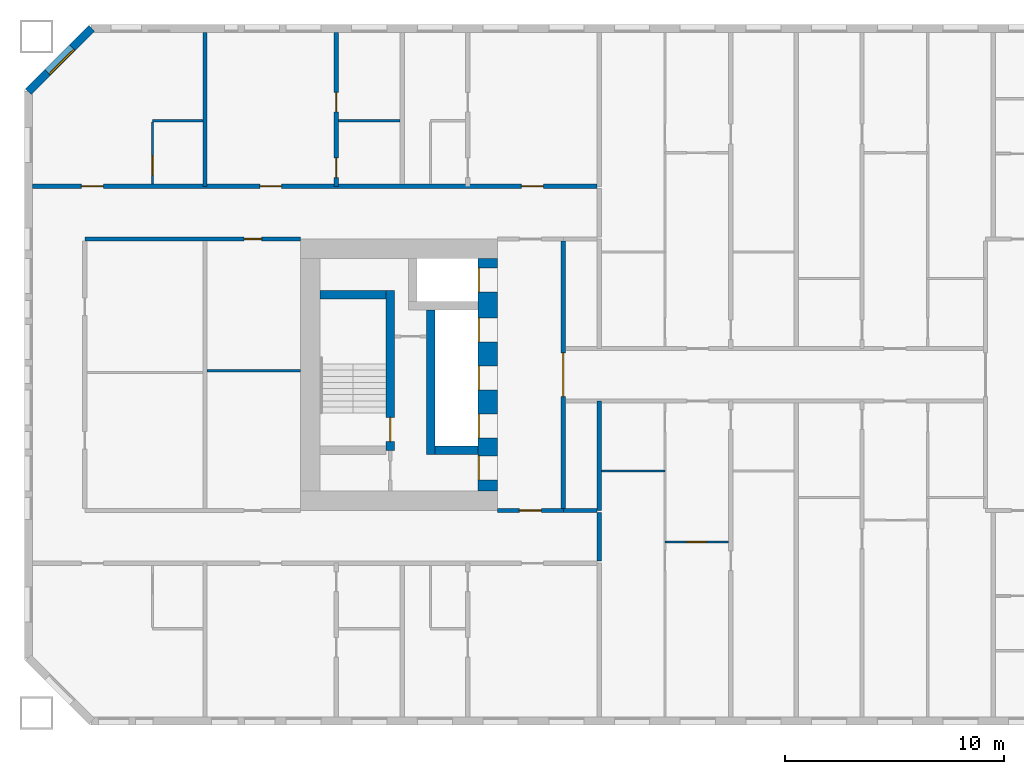
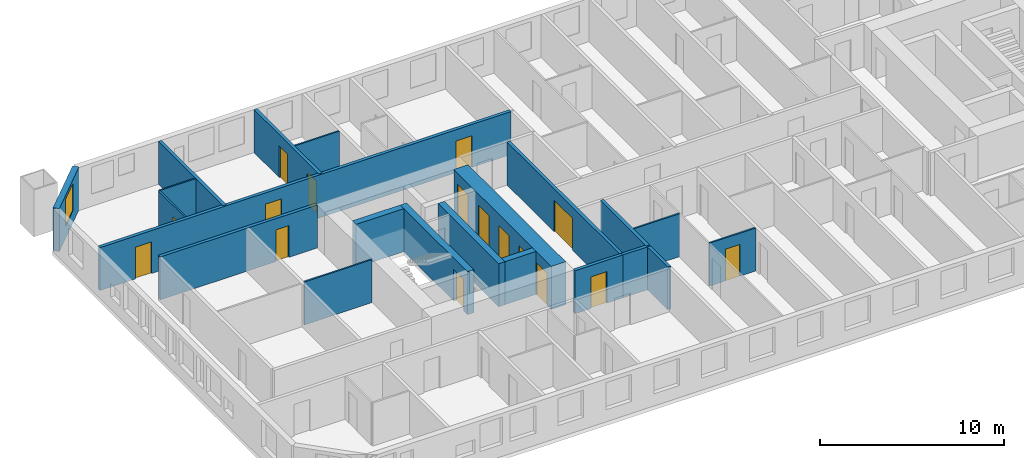
# One storey, part 4 of 17: 21 walls, 16 doors, 1 window, 17 openings.
"""IFC4 building model written with IfcOpenShell, lengths in metres."""

from ifc_helpers import new_model, si_unit, direction, frame, frame_2d, origin, place, context, subcontext, project, spatial, rectangle, extrude, material, layer, layer_set, type_object, element, fill, save


model = new_model("IFC4")

# Units and contexts
model_context = context("Model", 3, precision=1e-05, world=origin(), true_north=direction((0.0, 1.0)))
body_context = subcontext(model_context, "Body", "Model", "MODEL_VIEW")
ifc_project = project(units=[si_unit("LENGTHUNIT", "METRE"), si_unit("AREAUNIT", "SQUARE_METRE"), si_unit("VOLUMEUNIT", "CUBIC_METRE"), si_unit("PLANEANGLEUNIT", "RADIAN"), si_unit("MASSUNIT", "GRAM", prefix="KILO")], contexts=[model_context])

# Site, building, storey
site_placement = place(None, origin())
site = spatial("IfcSite", under=ifc_project, at=site_placement, CompositionType="ELEMENT")
building_placement = place(site_placement, origin())
building = spatial("IfcBuilding", under=site, at=building_placement, Name="Tuart Gate Housing", CompositionType="ELEMENT")
storey_placement = place(building_placement, frame((0.0, 0.0, 22.60009765625)))
storey = spatial("IfcBuildingStorey", under=building, at=storey_placement, Name="L05", CompositionType="ELEMENT", Elevation=22.60009765625)

# Wall, opening, window
ifc_material_1 = material(Name="Brick", Category="masonry")
ifc_layer_1 = layer(ifc_material_1, 0.360107421875)
ifc_layer_set_1 = layer_set([ifc_layer_1], Name="Brick pier and spandrel wall 360")
wall_type_1 = type_object("IfcWallType", Name="Brick pier and spandrel wall 360", PredefinedType="STANDARD", material=ifc_layer_set_1)
wall_1_placement = place(storey_placement, frame((22.82470703125, 85.820068359375, 0.0), z_axis=(0.0, 0.0, 1.0), x_axis=(-0.707106781187, -0.707106781187, 0.0)))
wall_1 = element("IfcWall", 1, at=wall_1_placement, inside=storey, type_object=wall_type_1, Name="External wall A-NW L05", PredefinedType="STANDARD", context=body_context, shape_type="SweptSolid", body=[
    extrude(rectangle(XDim=4.09375, YDim=0.360107421875, at=frame_2d((2.046875, 0.0))), origin(), (0.0, 0.0, 1.0), 2.849853515625),
])
opening_1_placement = place(wall_1_placement, frame((1.2470703125, 0.0, 0.800048828125)))
opening_1 = element("IfcOpeningElement", 2, at=opening_1_placement, cuts=wall_1, Name="Opening W1", PredefinedType="OPENING", context=body_context, shape_type="SweptSolid", body=[
    extrude(rectangle(XDim=1.60009765625, YDim=1.800048828125, at=frame_2d((0.800048828125, 0.89990234375))), frame((0.0, 0.18994140625, 0.0), z_axis=(0.0, -1.0, 0.0), x_axis=(1.0, 0.0, 0.0)), (0.0, 0.0, 1.0), 0.380126953125),
])
ifc_material_2 = material(Name="Aluminium frame with clear glass", Category="aluminium")
window_type = type_object("IfcWindowType", Name="Punched window 1600 x 1800", PartitioningType="SINGLE_PANEL", PredefinedType="WINDOW", material=ifc_material_2)
window_placement = place(opening_1_placement, origin())
window = element("IfcWindow", 3, at=window_placement, inside=storey, type_object=window_type, Name="Window W1", OverallHeight=1.800048828125, OverallWidth=1.60009765625, PartitioningType="SINGLE_PANEL", PredefinedType="WINDOW", context=body_context, shape_type="SweptSolid", body=[
    extrude(rectangle(XDim=1.60009765625, YDim=1.800048828125, at=frame_2d((0.800048828125, 0.89990234375))), frame((0.0, 0.150146484375, 0.0), z_axis=(0.0, -1.0, 0.0), x_axis=(1.0, 0.0, 0.0)), (0.0, 0.0, 1.0), 0.06005859375),
])
fill(opening_1, window)

# Walls
ifc_material_3 = material(Name="Concrete C60", Category="concrete")
ifc_layer_2 = layer(ifc_material_3, 0.39990234375)
ifc_layer_set_2 = layer_set([ifc_layer_2], Name="Core wall 400 C60")
wall_type_2 = type_object("IfcWallType", Name="Core wall 400 C60", PredefinedType="SHEAR", material=ifc_layer_set_2)
wall_2_placement = place(storey_placement, frame((36.260009765625, 73.64990234375, 0.0), z_axis=(0.0, 0.0, 1.0), x_axis=(-1.0, 0.0, 0.0)))
element("IfcWall", 4, at=wall_2_placement, inside=storey, type_object=wall_type_2, Name="Core wall AK.1", PredefinedType="SHEAR", context=body_context, shape_type="SweptSolid", body=[
    extrude(rectangle(XDim=3.0, YDim=0.39990234375, at=frame_2d((1.5, 0.0))), origin(), (0.0, 0.0, 1.0), 2.849853515625),
])
wall_3_placement = place(storey_placement, frame((40.4599609375, 66.550048828125, 0.0), z_axis=(0.0, 0.0, 1.0), x_axis=(-1.0, 0.0, 0.0)))
element("IfcWall", 5, at=wall_3_placement, inside=storey, type_object=wall_type_2, Name="Core wall AK.4", PredefinedType="SHEAR", context=body_context, shape_type="SweptSolid", body=[
    extrude(rectangle(XDim=1.949951171875, YDim=0.39990234375, at=frame_2d((0.97509765625, 0.0))), origin(), (0.0, 0.0, 1.0), 2.849853515625),
])
wall_4_placement = place(storey_placement, frame((38.31005859375, 72.949951171875, 0.0), z_axis=(0.0, 0.0, 1.0), x_axis=(0.0, -1.0, 0.0)))
element("IfcWall", 6, at=wall_4_placement, inside=storey, type_object=wall_type_2, Name="Core wall AK.6", PredefinedType="SHEAR", context=body_context, shape_type="SweptSolid", body=[
    extrude(rectangle(XDim=6.599853515625, YDim=0.39990234375, at=frame_2d((3.2998046875, 0.0))), origin(), (0.0, 0.0, 1.0), 2.849853515625),
])

# Wall, opening, door
wall_5_placement = place(storey_placement, frame((36.4599609375, 73.85009765625, 0.0), z_axis=(0.0, 0.0, 1.0), x_axis=(0.0, -1.0, 0.0)))
wall_5 = element("IfcWall", 7, at=wall_5_placement, inside=storey, type_object=wall_type_2, Name="Core wall AK.8", PredefinedType="SHEAR", context=body_context, shape_type="SweptSolid", body=[
    extrude(rectangle(XDim=7.300048828125, YDim=0.39990234375, at=frame_2d((3.64990234375, 0.0))), origin(), (0.0, 0.0, 1.0), 2.849853515625),
])
opening_2_placement = place(wall_5_placement, frame((5.800048828125, 0.0, 0.0)))
opening_2 = element("IfcOpeningElement", 8, at=opening_2_placement, cuts=wall_5, Name="Opening D372", PredefinedType="OPENING", context=body_context, shape_type="SweptSolid", body=[
    extrude(rectangle(XDim=1.10009765625, YDim=2.10009765625, at=frame_2d((0.550048828125, 1.050048828125))), frame((0.0, 0.2099609375, 0.0), z_axis=(0.0, -1.0, 0.0), x_axis=(1.0, 0.0, 0.0)), (0.0, 0.0, 1.0), 0.419921875),
])
ifc_material_4 = material(Name="Steel fire door", Category="steel")
door_type_1 = type_object("IfcDoorType", Name="Stair door 1100 x 2100", OperationType="SINGLE_SWING_LEFT", PredefinedType="DOOR", material=ifc_material_4)
door_1_placement = place(opening_2_placement, frame((1.10009765625, 0.0, 0.0), z_axis=(0.0, 0.0, 1.0), x_axis=(-1.0, 0.0, 0.0)))
door_1 = element("IfcDoor", 9, at=door_1_placement, inside=storey, type_object=door_type_1, Name="Stair door AK.SD", OperationType="SINGLE_SWING_LEFT", OverallHeight=2.10009765625, OverallWidth=1.10009765625, PredefinedType="DOOR", context=body_context, shape_type="SweptSolid", body=[
    extrude(rectangle(XDim=1.10009765625, YDim=2.10009765625, at=frame_2d((0.550048828125, 1.050048828125))), frame((0.0, 0.025146484375, 0.0), z_axis=(0.0, -1.0, 0.0), x_axis=(1.0, 0.0, 0.0)), (0.0, 0.0, 1.0), 0.050048828125),
])
fill(opening_2, door_1)

# Wall, openings, doors
ifc_material_5 = material(Name="Concrete C60", Category="concrete")
ifc_layer_3 = layer(ifc_material_5, 0.89990234375)
ifc_layer_set_3 = layer_set([ifc_layer_3], Name="Core wall 900 C60")
wall_type_3 = type_object("IfcWallType", Name="Core wall 900 C60", PredefinedType="SHEAR", material=ifc_layer_set_3)
wall_6_placement = place(storey_placement, frame((40.909912109375, 75.300048828125, 0.0), z_axis=(0.0, 0.0, 1.0), x_axis=(0.0, -1.0, 0.0)))
wall_6 = element("IfcWall", 10, at=wall_6_placement, inside=storey, type_object=wall_type_3, Name="Core wall AK front", PredefinedType="SHEAR", context=body_context, shape_type="SweptSolid", body=[
    extrude(rectangle(XDim=10.60009765625, YDim=0.89990234375, at=frame_2d((5.300048828125, 0.0))), origin(), (0.0, 0.0, 1.0), 2.849853515625),
])
opening_3_placement = place(wall_6_placement, frame((0.425048828125, 0.0, 0.0)))
opening_3 = element("IfcOpeningElement", 11, at=opening_3_placement, cuts=wall_6, Name="Opening LD-FA2", PredefinedType="OPENING", context=body_context, shape_type="SweptSolid", body=[
    extrude(rectangle(XDim=1.10009765625, YDim=2.10009765625, at=frame_2d((0.550048828125, 1.050048828125))), frame((0.0, 0.4599609375, 0.0), z_axis=(0.0, -1.0, 0.0), x_axis=(1.0, 0.0, 0.0)), (0.0, 0.0, 1.0), 0.919921875),
])
opening_4_placement = place(wall_6_placement, frame((2.699951171875, 0.0, 0.0)))
opening_4 = element("IfcOpeningElement", 12, at=opening_4_placement, cuts=wall_6, Name="Opening LD-LA4", PredefinedType="OPENING", context=body_context, shape_type="SweptSolid", body=[
    extrude(rectangle(XDim=1.10009765625, YDim=2.10009765625, at=frame_2d((0.550048828125, 1.050048828125))), frame((0.0, 0.4599609375, 0.0), z_axis=(0.0, -1.0, 0.0), x_axis=(1.0, 0.0, 0.0)), (0.0, 0.0, 1.0), 0.919921875),
])
opening_5_placement = place(wall_6_placement, frame((4.89990234375, 0.0, 0.0)))
opening_5 = element("IfcOpeningElement", 13, at=opening_5_placement, cuts=wall_6, Name="Opening LD-LA5", PredefinedType="OPENING", context=body_context, shape_type="SweptSolid", body=[
    extrude(rectangle(XDim=1.10009765625, YDim=2.10009765625, at=frame_2d((0.550048828125, 1.050048828125))), frame((0.0, 0.4599609375, 0.0), z_axis=(0.0, -1.0, 0.0), x_axis=(1.0, 0.0, 0.0)), (0.0, 0.0, 1.0), 0.919921875),
])
opening_6_placement = place(wall_6_placement, frame((7.10009765625, 0.0, 0.0)))
opening_6 = element("IfcOpeningElement", 14, at=opening_6_placement, cuts=wall_6, Name="Opening LD-LA6", PredefinedType="OPENING", context=body_context, shape_type="SweptSolid", body=[
    extrude(rectangle(XDim=1.10009765625, YDim=2.10009765625, at=frame_2d((0.550048828125, 1.050048828125))), frame((0.0, 0.4599609375, 0.0), z_axis=(0.0, -1.0, 0.0), x_axis=(1.0, 0.0, 0.0)), (0.0, 0.0, 1.0), 0.919921875),
])
opening_7_placement = place(wall_6_placement, frame((9.0, 0.0, 0.0)))
opening_7 = element("IfcOpeningElement", 15, at=opening_7_placement, cuts=wall_6, Name="Opening D375", PredefinedType="OPENING", context=body_context, shape_type="SweptSolid", body=[
    extrude(rectangle(XDim=1.10009765625, YDim=2.10009765625, at=frame_2d((0.550048828125, 1.050048828125))), frame((0.0, 0.4599609375, 0.0), z_axis=(0.0, -1.0, 0.0), x_axis=(1.0, 0.0, 0.0)), (0.0, 0.0, 1.0), 0.919921875),
])
ifc_material_6 = material(Name="Stainless steel", Category="steel")
door_type_2 = type_object("IfcDoorType", Name="Landing door 1100 x 2100", OperationType="DOUBLE_DOOR_SLIDING", PredefinedType="DOOR", material=ifc_material_6)
door_2_placement = place(opening_3_placement, origin())
door_2 = element("IfcDoor", 16, at=door_2_placement, inside=storey, type_object=door_type_2, Name="Lift landing door FA2", OperationType="DOUBLE_DOOR_SLIDING", OverallHeight=2.10009765625, OverallWidth=1.10009765625, PredefinedType="DOOR", context=body_context, shape_type="SweptSolid", body=[
    extrude(rectangle(XDim=1.10009765625, YDim=2.10009765625, at=frame_2d((0.550048828125, 1.050048828125))), frame((0.0, -0.384765625, 0.0), z_axis=(0.0, -1.0, 0.0), x_axis=(1.0, 0.0, 0.0)), (0.0, 0.0, 1.0), 0.050048828125),
])
fill(opening_3, door_2)
door_3_placement = place(opening_4_placement, origin())
door_3 = element("IfcDoor", 17, at=door_3_placement, inside=storey, type_object=door_type_2, Name="Lift landing door LA4", OperationType="DOUBLE_DOOR_SLIDING", OverallHeight=2.10009765625, OverallWidth=1.10009765625, PredefinedType="DOOR", context=body_context, shape_type="SweptSolid", body=[
    extrude(rectangle(XDim=1.10009765625, YDim=2.10009765625, at=frame_2d((0.550048828125, 1.050048828125))), frame((0.0, -0.384765625, 0.0), z_axis=(0.0, -1.0, 0.0), x_axis=(1.0, 0.0, 0.0)), (0.0, 0.0, 1.0), 0.050048828125),
])
fill(opening_4, door_3)
door_4_placement = place(opening_5_placement, origin())
door_4 = element("IfcDoor", 18, at=door_4_placement, inside=storey, type_object=door_type_2, Name="Lift landing door LA5", OperationType="DOUBLE_DOOR_SLIDING", OverallHeight=2.10009765625, OverallWidth=1.10009765625, PredefinedType="DOOR", context=body_context, shape_type="SweptSolid", body=[
    extrude(rectangle(XDim=1.10009765625, YDim=2.10009765625, at=frame_2d((0.550048828125, 1.050048828125))), frame((0.0, -0.384765625, 0.0), z_axis=(0.0, -1.0, 0.0), x_axis=(1.0, 0.0, 0.0)), (0.0, 0.0, 1.0), 0.050048828125),
])
fill(opening_5, door_4)
door_5_placement = place(opening_6_placement, origin())
door_5 = element("IfcDoor", 19, at=door_5_placement, inside=storey, type_object=door_type_2, Name="Lift landing door LA6", OperationType="DOUBLE_DOOR_SLIDING", OverallHeight=2.10009765625, OverallWidth=1.10009765625, PredefinedType="DOOR", context=body_context, shape_type="SweptSolid", body=[
    extrude(rectangle(XDim=1.10009765625, YDim=2.10009765625, at=frame_2d((0.550048828125, 1.050048828125))), frame((0.0, -0.384765625, 0.0), z_axis=(0.0, -1.0, 0.0), x_axis=(1.0, 0.0, 0.0)), (0.0, 0.0, 1.0), 0.050048828125),
])
fill(opening_6, door_5)
ifc_material_7 = material(Name="Steel fire door", Category="steel")
door_type_3 = type_object("IfcDoorType", Name="Lobby door 1100 x 2100 RH", OperationType="SINGLE_SWING_RIGHT", PredefinedType="DOOR", material=ifc_material_7)
door_6_placement = place(opening_7_placement, frame((1.10009765625, 0.0, 0.0), z_axis=(0.0, 0.0, 1.0), x_axis=(-1.0, 0.0, 0.0)))
door_6 = element("IfcDoor", 20, at=door_6_placement, inside=storey, type_object=door_type_3, Name="Lobby entry door AK.EN", OperationType="SINGLE_SWING_RIGHT", OverallHeight=2.10009765625, OverallWidth=1.10009765625, PredefinedType="DOOR", context=body_context, shape_type="SweptSolid", body=[
    extrude(rectangle(XDim=1.10009765625, YDim=2.10009765625, at=frame_2d((0.550048828125, 1.050048828125))), frame((0.0, 0.434814453125, 0.0), z_axis=(0.0, -1.0, 0.0), x_axis=(1.0, 0.0, 0.0)), (0.0, 0.0, 1.0), 0.050048828125),
])
fill(opening_7, door_6)

# Wall
ifc_material_8 = material(Name="Concrete masonry 15 MPa", Category="masonry")
ifc_layer_4 = layer(ifc_material_8, 0.199951171875)
ifc_layer_set_4 = layer_set([ifc_layer_4], Name="Corridor wall masonry 200")
wall_type_4 = type_object("IfcWallType", Name="Corridor wall masonry 200", PredefinedType="PARTITIONING", material=ifc_layer_set_4)
wall_7_placement = place(storey_placement, frame((44.360107421875, 63.800048828125, 0.0), z_axis=(0.0, 0.0, 1.0), x_axis=(1.0, 0.0, 0.0)))
element("IfcWall", 21, at=wall_7_placement, inside=storey, type_object=wall_type_4, Name="Corridor wall masonry 200", PredefinedType="PARTITIONING", context=body_context, shape_type="SweptSolid", body=[
    extrude(rectangle(XDim=1.539794921875, YDim=0.199951171875, at=frame_2d((0.77001953125, 0.0))), origin(), (0.0, 0.0, 1.0), 2.849853515625),
])

# Wall, opening, door
wall_8_placement = place(storey_placement, frame((22.510009765625, 76.199951171875, 0.0), z_axis=(0.0, 0.0, 1.0), x_axis=(1.0, 0.0, 0.0)))
wall_8 = element("IfcWall", 22, at=wall_8_placement, inside=storey, type_object=wall_type_4, Name="Corridor wall masonry 200", PredefinedType="PARTITIONING", context=body_context, shape_type="SweptSolid", body=[
    extrude(rectangle(XDim=9.85009765625, YDim=0.199951171875, at=frame_2d((4.925048828125, 0.0))), origin(), (0.0, 0.0, 1.0), 2.849853515625),
])
opening_8_placement = place(wall_8_placement, frame((7.27001953125, 0.0, 0.0)))
opening_8 = element("IfcOpeningElement", 23, at=opening_8_placement, cuts=wall_8, Name="Opening D365", PredefinedType="OPENING", context=body_context, shape_type="SweptSolid", body=[
    extrude(rectangle(XDim=0.800048828125, YDim=2.10009765625, at=frame_2d((0.39990234375, 1.050048828125))), frame((0.0, 0.10986328125, 0.0), z_axis=(0.0, -1.0, 0.0), x_axis=(1.0, 0.0, 0.0)), (0.0, 0.0, 1.0), 0.219970703125),
])
ifc_material_9 = material(Name="Timber door leaf in steel frame", Category="steel")
door_type_4 = type_object("IfcDoorType", Name="Store door 800 RH", OperationType="SINGLE_SWING_RIGHT", PredefinedType="DOOR", material=ifc_material_9)
door_7_placement = place(opening_8_placement, frame((0.800048828125, 0.0, 0.0), z_axis=(0.0, 0.0, 1.0), x_axis=(-1.0, 0.0, 0.0)))
door_7 = element("IfcDoor", 24, at=door_7_placement, inside=storey, type_object=door_type_4, Name="Store door", OperationType="SINGLE_SWING_RIGHT", OverallHeight=2.10009765625, OverallWidth=0.800048828125, PredefinedType="DOOR", context=body_context, shape_type="SweptSolid", body=[
    extrude(rectangle(XDim=0.800048828125, YDim=2.10009765625, at=frame_2d((0.400146484375, 1.050048828125))), frame((0.0, 0.025146484375, 0.0), z_axis=(0.0, -1.0, 0.0), x_axis=(1.0, 0.0, 0.0)), (0.0, 0.0, 1.0), 0.050048828125),
])
fill(opening_8, door_7)

# Wall, openings, doors
wall_9_placement = place(storey_placement, frame((20.110107421875, 78.60009765625, 0.0), z_axis=(0.0, 0.0, 1.0), x_axis=(1.0, 0.0, 0.0)))
wall_9 = element("IfcWall", 25, at=wall_9_placement, inside=storey, type_object=wall_type_4, Name="Corridor wall masonry 200", PredefinedType="PARTITIONING", context=body_context, shape_type="SweptSolid", body=[
    extrude(rectangle(XDim=25.789794921875, YDim=0.199951171875, at=frame_2d((12.89501953125, 0.0))), origin(), (0.0, 0.0, 1.0), 2.849853515625),
])
opening_9_placement = place(wall_9_placement, frame((22.340087890625, 0.0, 0.0)))
opening_9 = element("IfcOpeningElement", 26, at=opening_9_placement, cuts=wall_9, Name="Opening D354", PredefinedType="OPENING", context=body_context, shape_type="SweptSolid", body=[
    extrude(rectangle(XDim=1.0, YDim=2.10009765625, at=frame_2d((0.5, 1.050048828125))), frame((0.0, 0.10986328125, 0.0), z_axis=(0.0, -1.0, 0.0), x_axis=(1.0, 0.0, 0.0)), (0.0, 0.0, 1.0), 0.219970703125),
])
opening_10_placement = place(wall_9_placement, frame((10.389892578125, 0.0, 0.0)))
opening_10 = element("IfcOpeningElement", 27, at=opening_10_placement, cuts=wall_9, Name="Opening D355", PredefinedType="OPENING", context=body_context, shape_type="SweptSolid", body=[
    extrude(rectangle(XDim=1.0, YDim=2.10009765625, at=frame_2d((0.5, 1.050048828125))), frame((0.0, 0.10986328125, 0.0), z_axis=(0.0, -1.0, 0.0), x_axis=(1.0, 0.0, 0.0)), (0.0, 0.0, 1.0), 0.219970703125),
])
opening_11_placement = place(wall_9_placement, frame((2.2451171875, 0.0, 0.0)))
opening_11 = element("IfcOpeningElement", 28, at=opening_11_placement, cuts=wall_9, Name="Opening D356", PredefinedType="OPENING", context=body_context, shape_type="SweptSolid", body=[
    extrude(rectangle(XDim=1.0, YDim=2.10009765625, at=frame_2d((0.5, 1.050048828125))), frame((0.0, 0.10986328125, 0.0), z_axis=(0.0, -1.0, 0.0), x_axis=(1.0, 0.0, 0.0)), (0.0, 0.0, 1.0), 0.219970703125),
])
ifc_material_10 = material(Name="Timber door leaf in steel frame", Category="steel")
door_type_5 = type_object("IfcDoorType", Name="Flat entrance door 1000", OperationType="SINGLE_SWING_LEFT", PredefinedType="DOOR", material=ifc_material_10)
door_8_placement = place(opening_9_placement, origin())
door_8 = element("IfcDoor", 29, at=door_8_placement, inside=storey, type_object=door_type_5, Name="Flat entrance door", OperationType="SINGLE_SWING_LEFT", OverallHeight=2.10009765625, OverallWidth=1.0, PredefinedType="DOOR", context=body_context, shape_type="SweptSolid", body=[
    extrude(rectangle(XDim=1.0, YDim=2.10009765625, at=frame_2d((0.5, 1.050048828125))), frame((0.0, 0.02490234375, 0.0), z_axis=(0.0, -1.0, 0.0), x_axis=(1.0, 0.0, 0.0)), (0.0, 0.0, 1.0), 0.050048828125),
])
fill(opening_9, door_8)
door_9_placement = place(opening_10_placement, origin())
door_9 = element("IfcDoor", 30, at=door_9_placement, inside=storey, type_object=door_type_5, Name="Flat entrance door", OperationType="SINGLE_SWING_LEFT", OverallHeight=2.10009765625, OverallWidth=1.0, PredefinedType="DOOR", context=body_context, shape_type="SweptSolid", body=[
    extrude(rectangle(XDim=1.0, YDim=2.10009765625, at=frame_2d((0.5, 1.050048828125))), frame((0.0, 0.02490234375, 0.0), z_axis=(0.0, -1.0, 0.0), x_axis=(1.0, 0.0, 0.0)), (0.0, 0.0, 1.0), 0.050048828125),
])
fill(opening_10, door_9)
door_10_placement = place(opening_11_placement, origin())
door_10 = element("IfcDoor", 31, at=door_10_placement, inside=storey, type_object=door_type_5, Name="Flat entrance door", OperationType="SINGLE_SWING_LEFT", OverallHeight=2.10009765625, OverallWidth=1.0, PredefinedType="DOOR", context=body_context, shape_type="SweptSolid", body=[
    extrude(rectangle(XDim=1.0, YDim=2.10009765625, at=frame_2d((0.5, 1.050048828125))), frame((0.0, 0.02490234375, 0.0), z_axis=(0.0, -1.0, 0.0), x_axis=(1.0, 0.0, 0.0)), (0.0, 0.0, 1.0), 0.050048828125),
])
fill(opening_11, door_10)

# Wall
wall_10_placement = place(storey_placement, frame((46.0, 61.5, 0.0), z_axis=(0.0, 0.0, 1.0), x_axis=(0.0, 1.0, 0.0)))
element("IfcWall", 32, at=wall_10_placement, inside=storey, type_object=wall_type_4, Name="Corridor wall masonry 200", PredefinedType="PARTITIONING", context=body_context, shape_type="SweptSolid", body=[
    extrude(rectangle(XDim=2.199951171875, YDim=0.199951171875, at=frame_2d((1.10009765625, 0.0))), origin(), (0.0, 0.0, 1.0), 2.849853515625),
])

# Wall, opening, door
ifc_material_11 = material(Name="Concrete masonry 15 MPa", Category="masonry")
ifc_layer_5 = layer(ifc_material_11, 0.199951171875)
ifc_layer_set_5 = layer_set([ifc_layer_5], Name="Enclosure wall masonry 200")
wall_type_5 = type_object("IfcWallType", Name="Enclosure wall masonry 200", PredefinedType="PARTITIONING", material=ifc_layer_set_5)
wall_11_placement = place(storey_placement, frame((41.360107421875, 63.800048828125, 0.0), z_axis=(0.0, 0.0, 1.0), x_axis=(1.0, 0.0, 0.0)))
wall_11 = element("IfcWall", 33, at=wall_11_placement, inside=storey, type_object=wall_type_5, Name="Enclosure wall masonry 200", PredefinedType="PARTITIONING", context=body_context, shape_type="SweptSolid", body=[
    extrude(rectangle(XDim=3.0, YDim=0.199951171875, at=frame_2d((1.5, 0.0))), origin(), (0.0, 0.0, 1.0), 2.849853515625),
])
opening_12_placement = place(wall_11_placement, frame((1.0, 0.0, 0.0)))
opening_12 = element("IfcOpeningElement", 34, at=opening_12_placement, cuts=wall_11, Name="Opening D385", PredefinedType="OPENING", context=body_context, shape_type="SweptSolid", body=[
    extrude(rectangle(XDim=1.0, YDim=2.10009765625, at=frame_2d((0.5, 1.050048828125))), frame((0.0, 0.10986328125, 0.0), z_axis=(0.0, -1.0, 0.0), x_axis=(1.0, 0.0, 0.0)), (0.0, 0.0, 1.0), 0.219970703125),
])
ifc_material_12 = material(Name="Timber door leaf in steel frame", Category="steel")
door_type_6 = type_object("IfcDoorType", Name="Fire door 1000", OperationType="SINGLE_SWING_LEFT", PredefinedType="DOOR", material=ifc_material_12)
door_11_placement = place(opening_12_placement, frame((1.0, 0.0, 0.0), z_axis=(0.0, 0.0, 1.0), x_axis=(-1.0, 0.0, 0.0)))
door_11 = element("IfcDoor", 35, at=door_11_placement, inside=storey, type_object=door_type_6, Name="Fire door", OperationType="SINGLE_SWING_LEFT", OverallHeight=2.10009765625, OverallWidth=1.0, PredefinedType="DOOR", context=body_context, shape_type="SweptSolid", body=[
    extrude(rectangle(XDim=1.0, YDim=2.10009765625, at=frame_2d((0.5, 1.050048828125))), frame((0.0, 0.025146484375, 0.0), z_axis=(0.0, -1.0, 0.0), x_axis=(1.0, 0.0, 0.0)), (0.0, 0.0, 1.0), 0.050048828125),
])
fill(opening_12, door_11)

ifc_material_13 = material(Name="Plasterboard partition")
ifc_layer_6 = layer(ifc_material_13, 0.199951171875)
ifc_layer_set_6 = layer_set([ifc_layer_6], Name="Lobby wall 200")
wall_type_6 = type_object("IfcWallType", Name="Lobby wall 200", PredefinedType="PARTITIONING", material=ifc_layer_set_6)
wall_12_placement = place(storey_placement, frame((44.360107421875, 63.89990234375, 0.0), z_axis=(0.0, 0.0, 1.0), x_axis=(0.0, 1.0, 0.0)))
wall_12 = element("IfcWall", 36, at=wall_12_placement, inside=storey, type_object=wall_type_6, Name="Lift lobby wall AK", PredefinedType="PARTITIONING", context=body_context, shape_type="SweptSolid", body=[
    extrude(rectangle(XDim=12.2001953125, YDim=0.199951171875, at=frame_2d((6.10009765625, 0.0))), origin(), (0.0, 0.0, 1.0), 2.849853515625),
])
opening_13_placement = place(wall_12_placement, frame((5.10009765625, 0.0, 0.0)))
opening_13 = element("IfcOpeningElement", 37, at=opening_13_placement, cuts=wall_12, Name="Opening D376", PredefinedType="OPENING", context=body_context, shape_type="SweptSolid", body=[
    extrude(rectangle(XDim=2.0, YDim=2.10009765625, at=frame_2d((1.0, 1.050048828125))), frame((0.0, 0.10986328125, 0.0), z_axis=(0.0, -1.0, 0.0), x_axis=(1.0, 0.0, 0.0)), (0.0, 0.0, 1.0), 0.219970703125),
])
ifc_material_14 = material(Name="Steel fire door", Category="steel")
door_type_7 = type_object("IfcDoorType", Name="Smoke door 2000 x 2100", OperationType="DOUBLE_DOOR_SINGLE_SWING", PredefinedType="DOOR", material=ifc_material_14)
door_12_placement = place(opening_13_placement, origin())
door_12 = element("IfcDoor", 38, at=door_12_placement, inside=storey, type_object=door_type_7, Name="Lift lobby smoke door AK", OperationType="DOUBLE_DOOR_SINGLE_SWING", OverallHeight=2.10009765625, OverallWidth=2.0, PredefinedType="DOOR", context=body_context, shape_type="SweptSolid", body=[
    extrude(rectangle(XDim=2.0, YDim=2.10009765625, at=frame_2d((1.0, 1.050048828125))), frame((0.0, 0.02490234375, 0.0), z_axis=(0.0, -1.0, 0.0), x_axis=(1.0, 0.0, 0.0)), (0.0, 0.0, 1.0), 0.050048828125),
])
fill(opening_13, door_12)

ifc_material_15 = material(Name="Gypsum board on steel studs", Category="steel")
ifc_layer_7 = layer(ifc_material_15, 0.10009765625)
ifc_layer_set_7 = layer_set([ifc_layer_7], Name="Partition 100")
wall_type_7 = type_object("IfcWallType", Name="Partition 100", PredefinedType="PARTITIONING", material=ifc_layer_set_7)
wall_13_placement = place(storey_placement, frame((49.0, 62.360107421875, 0.0), z_axis=(0.0, 0.0, 1.0), x_axis=(1.0, 0.0, 0.0)))
wall_13 = element("IfcWall", 39, at=wall_13_placement, inside=storey, type_object=wall_type_7, Name="Partition 100", PredefinedType="PARTITIONING", context=body_context, shape_type="SweptSolid", body=[
    extrude(rectangle(XDim=2.89990234375, YDim=0.10009765625, at=frame_2d((1.449951171875, 0.0))), origin(), (0.0, 0.0, 1.0), 2.849853515625),
])
opening_14_placement = place(wall_13_placement, frame((1.0, 0.0, 0.0)))
opening_14 = element("IfcOpeningElement", 40, at=opening_14_placement, cuts=wall_13, Name="Opening D388", PredefinedType="OPENING", context=body_context, shape_type="SweptSolid", body=[
    extrude(rectangle(XDim=0.89990234375, YDim=2.10009765625, at=frame_2d((0.449951171875, 1.050048828125))), frame((0.0, 0.06005859375, 0.0), z_axis=(0.0, -1.0, 0.0), x_axis=(1.0, 0.0, 0.0)), (0.0, 0.0, 1.0), 0.1201171875),
])
ifc_material_16 = material(Name="Timber door leaf in steel frame", Category="steel")
door_type_8 = type_object("IfcDoorType", Name="Internal door 900", OperationType="SINGLE_SWING_LEFT", PredefinedType="DOOR", material=ifc_material_16)
door_13_placement = place(opening_14_placement, origin())
door_13 = element("IfcDoor", 41, at=door_13_placement, inside=storey, type_object=door_type_8, Name="Internal door", OperationType="SINGLE_SWING_LEFT", OverallHeight=2.10009765625, OverallWidth=0.89990234375, PredefinedType="DOOR", context=body_context, shape_type="SweptSolid", body=[
    extrude(rectangle(XDim=0.89990234375, YDim=2.10009765625, at=frame_2d((0.449951171875, 1.050048828125))), frame((0.0, 0.02490234375, 0.0), z_axis=(0.0, -1.0, 0.0), x_axis=(1.0, 0.0, 0.0)), (0.0, 0.0, 1.0), 0.050048828125),
])
fill(opening_14, door_13)

# Walls
wall_14_placement = place(storey_placement, frame((46.10009765625, 65.60009765625, 0.0), z_axis=(0.0, 0.0, 1.0), x_axis=(1.0, 0.0, 0.0)))
element("IfcWall", 42, at=wall_14_placement, inside=storey, type_object=wall_type_7, Name="Partition 100", PredefinedType="PARTITIONING", context=body_context, shape_type="SweptSolid", body=[
    extrude(rectangle(XDim=2.89990234375, YDim=0.10009765625, at=frame_2d((1.449951171875, 0.0))), origin(), (0.0, 0.0, 1.0), 2.849853515625),
])
wall_15_placement = place(storey_placement, frame((28.10009765625, 70.179931640625, 0.0), z_axis=(0.0, 0.0, 1.0), x_axis=(1.0, 0.0, 0.0)))
element("IfcWall", 43, at=wall_15_placement, inside=storey, type_object=wall_type_7, Name="Partition 100", PredefinedType="PARTITIONING", context=body_context, shape_type="SweptSolid", body=[
    extrude(rectangle(XDim=4.260009765625, YDim=0.10009765625, at=frame_2d((2.1298828125, 0.0))), origin(), (0.0, 0.0, 1.0), 2.849853515625),
])
wall_16_placement = place(storey_placement, frame((25.60009765625, 81.60009765625, 0.0), z_axis=(0.0, 0.0, 1.0), x_axis=(1.0, 0.0, 0.0)))
element("IfcWall", 44, at=wall_16_placement, inside=storey, type_object=wall_type_7, Name="Partition 100", PredefinedType="PARTITIONING", context=body_context, shape_type="SweptSolid", body=[
    extrude(rectangle(XDim=2.2998046875, YDim=0.10009765625, at=frame_2d((1.14990234375, 0.0))), origin(), (0.0, 0.0, 1.0), 2.849853515625),
])
wall_17_placement = place(storey_placement, frame((34.10009765625, 81.60009765625, 0.0), z_axis=(0.0, 0.0, 1.0), x_axis=(1.0, 0.0, 0.0)))
element("IfcWall", 45, at=wall_17_placement, inside=storey, type_object=wall_type_7, Name="Partition 100", PredefinedType="PARTITIONING", context=body_context, shape_type="SweptSolid", body=[
    extrude(rectangle(XDim=2.7998046875, YDim=0.10009765625, at=frame_2d((1.39990234375, 0.0))), origin(), (0.0, 0.0, 1.0), 2.849853515625),
])

# Wall, opening, door
wall_18_placement = place(storey_placement, frame((25.60009765625, 78.699951171875, 0.0), z_axis=(0.0, 0.0, 1.0), x_axis=(0.0, 1.0, 0.0)))
wall_18 = element("IfcWall", 46, at=wall_18_placement, inside=storey, type_object=wall_type_7, Name="Partition 100", PredefinedType="PARTITIONING", context=body_context, shape_type="SweptSolid", body=[
    extrude(rectangle(XDim=2.85009765625, YDim=0.10009765625, at=frame_2d((1.425048828125, 0.0))), origin(), (0.0, 0.0, 1.0), 2.849853515625),
])
opening_15_placement = place(wall_18_placement, frame((0.39990234375, 0.0, 0.0)))
opening_15 = element("IfcOpeningElement", 47, at=opening_15_placement, cuts=wall_18, Name="Opening D351", PredefinedType="OPENING", context=body_context, shape_type="SweptSolid", body=[
    extrude(rectangle(XDim=0.89990234375, YDim=2.10009765625, at=frame_2d((0.449951171875, 1.050048828125))), frame((0.0, 0.06005859375, 0.0), z_axis=(0.0, -1.0, 0.0), x_axis=(1.0, 0.0, 0.0)), (0.0, 0.0, 1.0), 0.1201171875),
])
ifc_material_17 = material(Name="Timber door leaf in steel frame", Category="steel")
door_type_9 = type_object("IfcDoorType", Name="Bathroom door 900 RH", OperationType="SINGLE_SWING_RIGHT", PredefinedType="DOOR", material=ifc_material_17)
door_14_placement = place(opening_15_placement, frame((0.89990234375, 0.0, 0.0), z_axis=(0.0, 0.0, 1.0), x_axis=(-1.0, 0.0, 0.0)))
door_14 = element("IfcDoor", 48, at=door_14_placement, inside=storey, type_object=door_type_9, Name="Bathroom door", OperationType="SINGLE_SWING_RIGHT", OverallHeight=2.10009765625, OverallWidth=0.89990234375, PredefinedType="DOOR", context=body_context, shape_type="SweptSolid", body=[
    extrude(rectangle(XDim=0.89990234375, YDim=2.10009765625, at=frame_2d((0.449951171875, 1.050048828125))), frame((0.0, 0.025146484375, 0.0), z_axis=(0.0, -1.0, 0.0), x_axis=(1.0, 0.0, 0.0)), (0.0, 0.0, 1.0), 0.050048828125),
])
fill(opening_15, door_14)

# Wall
ifc_material_18 = material(Name="Concrete C40", Category="concrete")
ifc_layer_8 = layer(ifc_material_18, 0.199951171875)
ifc_layer_set_8 = layer_set([ifc_layer_8], Name="Party wall concrete C40 200")
wall_type_8 = type_object("IfcWallType", Name="Party wall concrete C40 200", PredefinedType="SOLIDWALL", material=ifc_layer_set_8)
wall_19_placement = place(storey_placement, frame((28.0, 78.60009765625, 0.0), z_axis=(0.0, 0.0, 1.0), x_axis=(0.0, 1.0, 0.0)))
element("IfcWall", 49, at=wall_19_placement, inside=storey, type_object=wall_type_8, Name="Party wall concrete C40 200", PredefinedType="SOLIDWALL", context=body_context, shape_type="SweptSolid", body=[
    extrude(rectangle(XDim=7.039794921875, YDim=0.199951171875, at=frame_2d((3.52001953125, 0.0))), origin(), (0.0, 0.0, 1.0), 2.849853515625),
])

# Wall, openings, doors
wall_20_placement = place(storey_placement, frame((34.0, 78.60009765625, 0.0), z_axis=(0.0, 0.0, 1.0), x_axis=(0.0, 1.0, 0.0)))
wall_20 = element("IfcWall", 50, at=wall_20_placement, inside=storey, type_object=wall_type_8, Name="Party wall concrete C40 200", PredefinedType="SOLIDWALL", context=body_context, shape_type="SweptSolid", body=[
    extrude(rectangle(XDim=7.039794921875, YDim=0.199951171875, at=frame_2d((3.52001953125, 0.0))), origin(), (0.0, 0.0, 1.0), 2.849853515625),
])
opening_16_placement = place(wall_20_placement, frame((3.39990234375, 0.0, 0.0)))
opening_16 = element("IfcOpeningElement", 51, at=opening_16_placement, cuts=wall_20, Name="Opening D344", PredefinedType="OPENING", context=body_context, shape_type="SweptSolid", body=[
    extrude(rectangle(XDim=0.89990234375, YDim=2.10009765625, at=frame_2d((0.449951171875, 1.050048828125))), frame((0.0, 0.10986328125, 0.0), z_axis=(0.0, -1.0, 0.0), x_axis=(1.0, 0.0, 0.0)), (0.0, 0.0, 1.0), 0.219970703125),
])
opening_17_placement = place(wall_20_placement, frame((0.39990234375, 0.0, 0.0)))
opening_17 = element("IfcOpeningElement", 52, at=opening_17_placement, cuts=wall_20, Name="Opening D343", PredefinedType="OPENING", context=body_context, shape_type="SweptSolid", body=[
    extrude(rectangle(XDim=0.89990234375, YDim=2.10009765625, at=frame_2d((0.449951171875, 1.050048828125))), frame((0.0, 0.10986328125, 0.0), z_axis=(0.0, -1.0, 0.0), x_axis=(1.0, 0.0, 0.0)), (0.0, 0.0, 1.0), 0.219970703125),
])
door_15_placement = place(opening_17_placement, frame((0.89990234375, 0.0, 0.0), z_axis=(0.0, 0.0, 1.0), x_axis=(-1.0, 0.0, 0.0)))
door_15 = element("IfcDoor", 53, at=door_15_placement, inside=storey, type_object=door_type_9, Name="Bathroom door", OperationType="SINGLE_SWING_RIGHT", OverallHeight=2.10009765625, OverallWidth=0.89990234375, PredefinedType="DOOR", context=body_context, shape_type="SweptSolid", body=[
    extrude(rectangle(XDim=0.89990234375, YDim=2.10009765625, at=frame_2d((0.449951171875, 1.050048828125))), frame((0.0, 0.025146484375, 0.0), z_axis=(0.0, -1.0, 0.0), x_axis=(1.0, 0.0, 0.0)), (0.0, 0.0, 1.0), 0.050048828125),
])
fill(opening_17, door_15)
ifc_material_19 = material(Name="Timber door leaf in steel frame", Category="steel")
door_type_10 = type_object("IfcDoorType", Name="Internal door 900 RH", OperationType="SINGLE_SWING_RIGHT", PredefinedType="DOOR", material=ifc_material_19)
door_16_placement = place(opening_16_placement, frame((0.89990234375, 0.0, 0.0), z_axis=(0.0, 0.0, 1.0), x_axis=(-1.0, 0.0, 0.0)))
door_16 = element("IfcDoor", 54, at=door_16_placement, inside=storey, type_object=door_type_10, Name="Internal door", OperationType="SINGLE_SWING_RIGHT", OverallHeight=2.10009765625, OverallWidth=0.89990234375, PredefinedType="DOOR", context=body_context, shape_type="SweptSolid", body=[
    extrude(rectangle(XDim=0.89990234375, YDim=2.10009765625, at=frame_2d((0.449951171875, 1.050048828125))), frame((0.0, 0.025146484375, 0.0), z_axis=(0.0, -1.0, 0.0), x_axis=(1.0, 0.0, 0.0)), (0.0, 0.0, 1.0), 0.050048828125),
])
fill(opening_16, door_16)

# Wall
wall_21_placement = place(storey_placement, frame((46.0, 63.800048828125, 0.0), z_axis=(0.0, 0.0, 1.0), x_axis=(0.0, 1.0, 0.0)))
element("IfcWall", 55, at=wall_21_placement, inside=storey, type_object=wall_type_8, Name="Party wall concrete C40 200", PredefinedType="SOLIDWALL", context=body_context, shape_type="SweptSolid", body=[
    extrude(rectangle(XDim=5.0, YDim=0.199951171875, at=frame_2d((2.5, 0.0))), origin(), (0.0, 0.0, 1.0), 2.849853515625),
])

save(model, "model.ifc")
